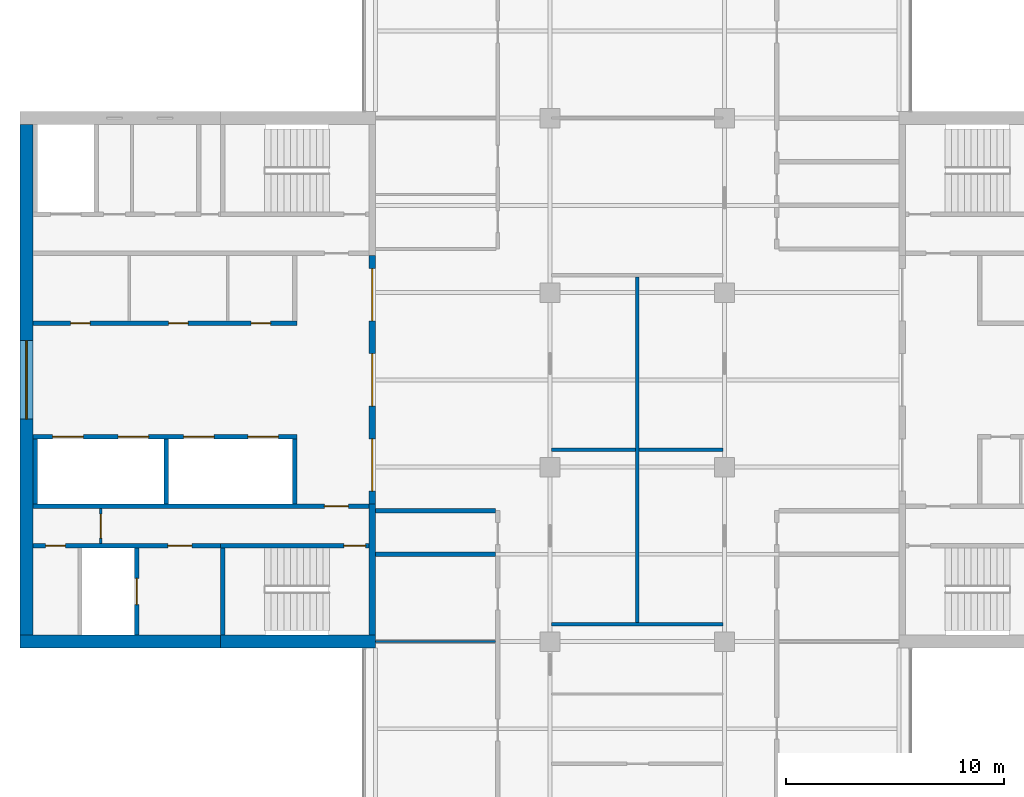
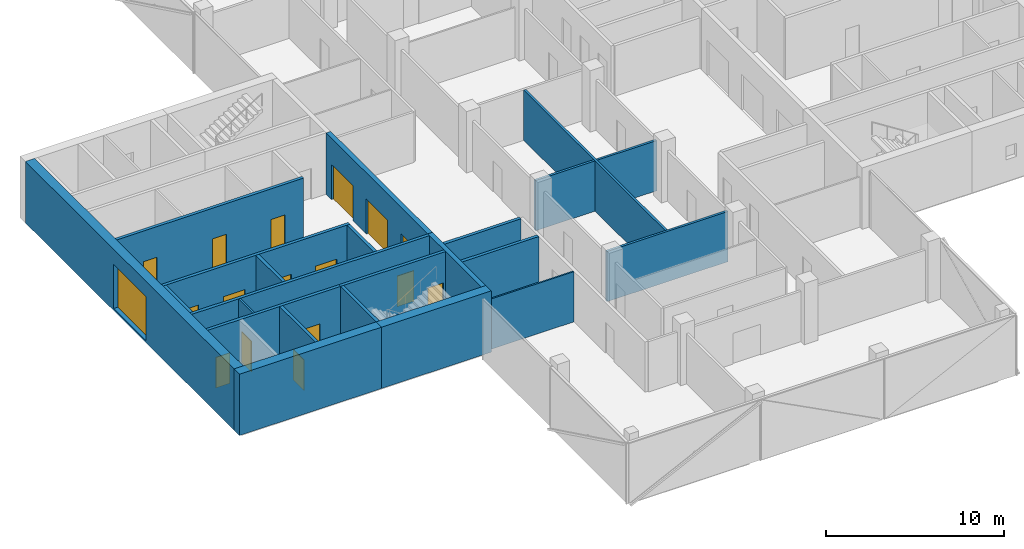
# One storey, part 9 of 16: 23 walls, 16 doors, 1 window, 17 openings.
"""IFC4 building model written with IfcOpenShell, lengths in metres."""

from ifc_helpers import new_model, si_unit, direction, frame, frame_2d, origin, place, context, subcontext, project, spatial, rectangle, extrude, material, layer, layer_set, constituent, constituent_set, type_object, element, fill, save


model = new_model("IFC4")

# Units and contexts
model_context = context("Model", 3, precision=1e-05, world=origin(), true_north=direction((0.0, 1.0)))
body_context = subcontext(model_context, "Body", "Model", "MODEL_VIEW")
ifc_project = project(units=[si_unit("LENGTHUNIT", "METRE"), si_unit("AREAUNIT", "SQUARE_METRE"), si_unit("VOLUMEUNIT", "CUBIC_METRE"), si_unit("PLANEANGLEUNIT", "RADIAN"), si_unit("MASSUNIT", "GRAM", prefix="KILO")], contexts=[model_context])

# Site, building, storey
site_placement = place(None, origin())
site = spatial("IfcSite", under=ifc_project, at=site_placement, CompositionType="ELEMENT")
building_placement = place(site_placement, origin())
building = spatial("IfcBuilding", under=site, at=building_placement, Name="Crosswind Convention Tower", CompositionType="ELEMENT")
storey_placement = place(building_placement, frame((0.0, 0.0, 208.300048828125)))
storey = spatial("IfcBuildingStorey", under=building, at=storey_placement, Name="L44", CompositionType="ELEMENT", Elevation=208.300048828125)

# Walls
ifc_material_1 = material(Name="Concrete blockwork", Category="masonry")
ifc_layer_1 = layer(ifc_material_1, 0.199951171875)
ifc_layer_set_1 = layer_set([ifc_layer_1], Name="COMPARTMENT WALL 200 BLOCKWORK")
wall_type_1 = type_object("IfcWallType", Name="COMPARTMENT WALL 200 BLOCKWORK", PredefinedType="SOLIDWALL", material=ifc_layer_set_1)
for number, where, z_axis, x_axis, name in (
    (1, (113.0, 92.0, 0.0), (0.0, 0.0, 1.0), (1.0, 0.0, 0.0), "Compartment wall WT42"),
    (2, (113.0, 94.0, 0.0), (0.0, 0.0, 1.0), (1.0, 0.0, 0.0), "Compartment wall WT42"),
):
    element("IfcWall", number, at=place(storey_placement, frame(where, z_axis=z_axis, x_axis=x_axis)), inside=storey, type_object=wall_type_1, Name=name, PredefinedType="SOLIDWALL", context=body_context, shape_type="SweptSolid", body=[
        extrude(rectangle(XDim=5.5, YDim=0.199951171875, at=frame_2d((2.75, 0.0))), origin(), (0.0, 0.0, 1.0), 3.439697265625),
    ])

# Wall, openings, doors
ifc_material_2 = material(Name="Concrete C50/60", Category="concrete")
ifc_layer_2 = layer(ifc_material_2, 0.300048828125)
ifc_layer_set_2 = layer_set([ifc_layer_2], Name="Concrete C50/60")
wall_type_2 = type_object("IfcWallType", Name="Concrete inner core wall 300", PredefinedType="SHEAR", material=ifc_layer_set_2)
wall_1_placement = place(storey_placement, frame((112.85009765625, 105.699951171875, 0.0), z_axis=(0.0, 0.0, 1.0), x_axis=(0.0, -1.0, 0.0)))
wall_1 = element("IfcWall", 3, at=wall_1_placement, inside=storey, type_object=wall_type_2, Name="Wall SCR W L44", PredefinedType="SHEAR", context=body_context, shape_type="SweptSolid", body=[
    extrude(rectangle(XDim=11.39990234375, YDim=0.300048828125, at=frame_2d((5.699951171875, 0.0))), origin(), (0.0, 0.0, 1.0), 4.199951171875),
])
opening_1_placement = place(wall_1_placement, frame((0.60009765625, 0.0, 0.0)))
opening_1 = element("IfcOpeningElement", 4, at=opening_1_placement, cuts=wall_1, Name="Opening D100", PredefinedType="OPENING", context=body_context, shape_type="SweptSolid", body=[
    extrude(rectangle(XDim=2.39990234375, YDim=2.39990234375, at=frame_2d((1.199951171875, 1.199951171875))), frame((0.0, 0.159912109375, 0.0), z_axis=(0.0, -1.0, 0.0), x_axis=(1.0, 0.0, 0.0)), (0.0, 0.0, 1.0), 0.320068359375),
])
opening_2_placement = place(wall_1_placement, frame((4.5, 0.0, 0.0)))
opening_2 = element("IfcOpeningElement", 5, at=opening_2_placement, cuts=wall_1, Name="Opening D100", PredefinedType="OPENING", context=body_context, shape_type="SweptSolid", body=[
    extrude(rectangle(XDim=2.39990234375, YDim=2.39990234375, at=frame_2d((1.199951171875, 1.199951171875))), frame((0.0, 0.159912109375, 0.0), z_axis=(0.0, -1.0, 0.0), x_axis=(1.0, 0.0, 0.0)), (0.0, 0.0, 1.0), 0.320068359375),
])
opening_3_placement = place(wall_1_placement, frame((8.39990234375, 0.0, 0.0)))
opening_3 = element("IfcOpeningElement", 6, at=opening_3_placement, cuts=wall_1, Name="Opening D100", PredefinedType="OPENING", context=body_context, shape_type="SweptSolid", body=[
    extrude(rectangle(XDim=2.39990234375, YDim=2.39990234375, at=frame_2d((1.199951171875, 1.199951171875))), frame((0.0, 0.159912109375, 0.0), z_axis=(0.0, -1.0, 0.0), x_axis=(1.0, 0.0, 0.0)), (0.0, 0.0, 1.0), 0.320068359375),
])
ifc_material_3 = material(Name="Steel fire door with glazed vision panels", Category="steel")
door_type_1 = type_object("IfcDoorType", Name="Fire-rated double door 2400x2400", OperationType="DOUBLE_DOOR_SINGLE_SWING", PredefinedType="DOOR", material=ifc_material_3)
door_1_placement = place(opening_1_placement, origin())
door_1 = element("IfcDoor", 7, at=door_1_placement, inside=storey, type_object=door_type_1, Name="Lobby door 1 L44", ObjectType="D100", OperationType="DOUBLE_DOOR_SINGLE_SWING", OverallHeight=2.39990234375, OverallWidth=2.39990234375, PredefinedType="DOOR", context=body_context, shape_type="SweptSolid", body=[
    extrude(rectangle(XDim=2.39990234375, YDim=2.39990234375, at=frame_2d((1.199951171875, 1.199951171875))), frame((0.0, 0.02490234375, 0.0), z_axis=(0.0, -1.0, 0.0), x_axis=(1.0, 0.0, 0.0)), (0.0, 0.0, 1.0), 0.050048828125),
])
fill(opening_1, door_1)
door_2_placement = place(opening_2_placement, origin())
door_2 = element("IfcDoor", 8, at=door_2_placement, inside=storey, type_object=door_type_1, Name="Lobby door 2 L44", ObjectType="D100", OperationType="DOUBLE_DOOR_SINGLE_SWING", OverallHeight=2.39990234375, OverallWidth=2.39990234375, PredefinedType="DOOR", context=body_context, shape_type="SweptSolid", body=[
    extrude(rectangle(XDim=2.39990234375, YDim=2.39990234375, at=frame_2d((1.199951171875, 1.199951171875))), frame((0.0, 0.02490234375, 0.0), z_axis=(0.0, -1.0, 0.0), x_axis=(1.0, 0.0, 0.0)), (0.0, 0.0, 1.0), 0.050048828125),
])
fill(opening_2, door_2)
door_3_placement = place(opening_3_placement, origin())
door_3 = element("IfcDoor", 9, at=door_3_placement, inside=storey, type_object=door_type_1, Name="Lobby door 3 L44", ObjectType="D100", OperationType="DOUBLE_DOOR_SINGLE_SWING", OverallHeight=2.39990234375, OverallWidth=2.39990234375, PredefinedType="DOOR", context=body_context, shape_type="SweptSolid", body=[
    extrude(rectangle(XDim=2.39990234375, YDim=2.39990234375, at=frame_2d((1.199951171875, 1.199951171875))), frame((0.0, 0.02490234375, 0.0), z_axis=(0.0, -1.0, 0.0), x_axis=(1.0, 0.0, 0.0)), (0.0, 0.0, 1.0), 0.050048828125),
])
fill(opening_3, door_3)

# Walls
wall_2_placement = place(storey_placement, frame((112.85009765625, 94.300048828125, 0.0), z_axis=(0.0, 0.0, 1.0), x_axis=(0.0, -1.0, 0.0)))
element("IfcWall", 10, at=wall_2_placement, inside=storey, type_object=wall_type_2, Name="Wall EP W L44", PredefinedType="SHEAR", context=body_context, shape_type="SweptSolid", body=[
    extrude(rectangle(XDim=6.0, YDim=0.300048828125, at=frame_2d((3.0, 0.0))), origin(), (0.0, 0.0, 1.0), 4.199951171875),
])
ifc_layer_3 = layer(ifc_material_2, 0.199951171875)
ifc_layer_set_3 = layer_set([ifc_layer_3], Name="Concrete C50/60")
wall_type_3 = type_object("IfcWallType", Name="Concrete shaft and stair wall 200", PredefinedType="SHEAR", material=ifc_layer_set_3)
for number, where, z_axis, x_axis, name in (
    (11, (109.300048828125, 97.300048828125, 0.0), (0.0, 0.0, 1.0), (0.0, -1.0, 0.0), "Wall RPEND W L44"),
    (12, (103.39990234375, 97.300048828125, 0.0), (0.0, 0.0, 1.0), (0.0, -1.0, 0.0), "Wall RPSEP W L44"),
    (13, (97.39990234375, 97.300048828125, 0.0), (0.0, 0.0, 1.0), (0.0, -1.0, 0.0), "Wall RPEAST W L44"),
):
    element("IfcWall", number, at=place(storey_placement, frame(where, z_axis=z_axis, x_axis=x_axis)), inside=storey, type_object=wall_type_3, Name=name, PredefinedType="SHEAR", context=body_context, shape_type="SweptSolid", body=[
        extrude(rectangle(XDim=3.0, YDim=0.199951171875, at=frame_2d((1.5, 0.0))), origin(), (0.0, 0.0, 1.0), 4.199951171875),
    ])

# Wall, openings, doors
wall_3_placement = place(storey_placement, frame((109.39990234375, 97.39990234375, 0.0), z_axis=(0.0, 0.0, 1.0), x_axis=(-1.0, 0.0, 0.0)))
wall_3 = element("IfcWall", 14, at=wall_3_placement, inside=storey, type_object=wall_type_3, Name="Wall RPFRONT W L44", PredefinedType="SHEAR", context=body_context, shape_type="SweptSolid", body=[
    extrude(rectangle(XDim=12.099853515625, YDim=0.199951171875, at=frame_2d((6.0498046875, 0.0))), origin(), (0.0, 0.0, 1.0), 4.199951171875),
])
opening_4_placement = place(wall_3_placement, frame((0.85009765625, 0.0, 0.0)))
opening_4 = element("IfcOpeningElement", 15, at=opening_4_placement, cuts=wall_3, Name="Opening LD2", PredefinedType="OPENING", context=body_context, shape_type="SweptSolid", body=[
    extrude(rectangle(XDim=1.39990234375, YDim=2.10009765625, at=frame_2d((0.699951171875, 1.050048828125))), frame((0.0, 0.10986328125, 0.0), z_axis=(0.0, -1.0, 0.0), x_axis=(1.0, 0.0, 0.0)), (0.0, 0.0, 1.0), 0.219970703125),
])
opening_5_placement = place(wall_3_placement, frame((3.800048828125, 0.0, 0.0)))
opening_5 = element("IfcOpeningElement", 16, at=opening_5_placement, cuts=wall_3, Name="Opening LD2", PredefinedType="OPENING", context=body_context, shape_type="SweptSolid", body=[
    extrude(rectangle(XDim=1.39990234375, YDim=2.10009765625, at=frame_2d((0.699951171875, 1.050048828125))), frame((0.0, 0.10986328125, 0.0), z_axis=(0.0, -1.0, 0.0), x_axis=(1.0, 0.0, 0.0)), (0.0, 0.0, 1.0), 0.219970703125),
])
opening_6_placement = place(wall_3_placement, frame((6.800048828125, 0.0, 0.0)))
opening_6 = element("IfcOpeningElement", 17, at=opening_6_placement, cuts=wall_3, Name="Opening LD2", PredefinedType="OPENING", context=body_context, shape_type="SweptSolid", body=[
    extrude(rectangle(XDim=1.39990234375, YDim=2.10009765625, at=frame_2d((0.699951171875, 1.050048828125))), frame((0.0, 0.10986328125, 0.0), z_axis=(0.0, -1.0, 0.0), x_axis=(1.0, 0.0, 0.0)), (0.0, 0.0, 1.0), 0.219970703125),
])
opening_7_placement = place(wall_3_placement, frame((9.800048828125, 0.0, 0.0)))
opening_7 = element("IfcOpeningElement", 18, at=opening_7_placement, cuts=wall_3, Name="Opening LD2", PredefinedType="OPENING", context=body_context, shape_type="SweptSolid", body=[
    extrude(rectangle(XDim=1.39990234375, YDim=2.10009765625, at=frame_2d((0.699951171875, 1.050048828125))), frame((0.0, 0.10986328125, 0.0), z_axis=(0.0, -1.0, 0.0), x_axis=(1.0, 0.0, 0.0)), (0.0, 0.0, 1.0), 0.219970703125),
])
ifc_material_4 = material(Name="Stainless steel", Category="steel")
door_type_2 = type_object("IfcDoorType", Name="Lift landing door 1400x2100", OperationType="DOUBLE_DOOR_SLIDING", PredefinedType="DOOR", material=ifc_material_4)
door_4_placement = place(opening_4_placement, origin())
door_4 = element("IfcDoor", 19, at=door_4_placement, inside=storey, type_object=door_type_2, Name="Landing door HR1 L44", ObjectType="LD2", OperationType="DOUBLE_DOOR_SLIDING", OverallHeight=2.10009765625, OverallWidth=1.39990234375, PredefinedType="DOOR", context=body_context, shape_type="SweptSolid", body=[
    extrude(rectangle(XDim=1.39990234375, YDim=2.10009765625, at=frame_2d((0.699951171875, 1.050048828125))), frame((0.0, 0.02490234375, 0.0), z_axis=(0.0, -1.0, 0.0), x_axis=(1.0, 0.0, 0.0)), (0.0, 0.0, 1.0), 0.050048828125),
])
fill(opening_4, door_4)
door_5_placement = place(opening_5_placement, origin())
door_5 = element("IfcDoor", 20, at=door_5_placement, inside=storey, type_object=door_type_2, Name="Landing door HR2 L44", ObjectType="LD2", OperationType="DOUBLE_DOOR_SLIDING", OverallHeight=2.10009765625, OverallWidth=1.39990234375, PredefinedType="DOOR", context=body_context, shape_type="SweptSolid", body=[
    extrude(rectangle(XDim=1.39990234375, YDim=2.10009765625, at=frame_2d((0.699951171875, 1.050048828125))), frame((0.0, 0.02490234375, 0.0), z_axis=(0.0, -1.0, 0.0), x_axis=(1.0, 0.0, 0.0)), (0.0, 0.0, 1.0), 0.050048828125),
])
fill(opening_5, door_5)
door_6_placement = place(opening_6_placement, origin())
door_6 = element("IfcDoor", 21, at=door_6_placement, inside=storey, type_object=door_type_2, Name="Landing door HR3 L44", ObjectType="LD2", OperationType="DOUBLE_DOOR_SLIDING", OverallHeight=2.10009765625, OverallWidth=1.39990234375, PredefinedType="DOOR", context=body_context, shape_type="SweptSolid", body=[
    extrude(rectangle(XDim=1.39990234375, YDim=2.10009765625, at=frame_2d((0.699951171875, 1.050048828125))), frame((0.0, 0.02490234375, 0.0), z_axis=(0.0, -1.0, 0.0), x_axis=(1.0, 0.0, 0.0)), (0.0, 0.0, 1.0), 0.050048828125),
])
fill(opening_6, door_6)
door_7_placement = place(opening_7_placement, origin())
door_7 = element("IfcDoor", 22, at=door_7_placement, inside=storey, type_object=door_type_2, Name="Landing door HR4 L44", ObjectType="LD2", OperationType="DOUBLE_DOOR_SLIDING", OverallHeight=2.10009765625, OverallWidth=1.39990234375, PredefinedType="DOOR", context=body_context, shape_type="SweptSolid", body=[
    extrude(rectangle(XDim=1.39990234375, YDim=2.10009765625, at=frame_2d((0.699951171875, 1.050048828125))), frame((0.0, 0.02490234375, 0.0), z_axis=(0.0, -1.0, 0.0), x_axis=(1.0, 0.0, 0.0)), (0.0, 0.0, 1.0), 0.050048828125),
])
fill(opening_7, door_7)

wall_4_placement = place(storey_placement, frame((109.39990234375, 102.60009765625, 0.0), z_axis=(0.0, 0.0, 1.0), x_axis=(-1.0, 0.0, 0.0)))
wall_4 = element("IfcWall", 23, at=wall_4_placement, inside=storey, type_object=wall_type_3, Name="Wall RMFRONT W L44", PredefinedType="SHEAR", context=body_context, shape_type="SweptSolid", body=[
    extrude(rectangle(XDim=12.099853515625, YDim=0.199951171875, at=frame_2d((6.0498046875, 0.0))), origin(), (0.0, 0.0, 1.0), 4.199951171875),
])
opening_8_placement = place(wall_4_placement, frame((1.206298828125, 0.0, 0.0)))
opening_8 = element("IfcOpeningElement", 24, at=opening_8_placement, cuts=wall_4, Name="Opening D106", PredefinedType="OPENING", context=body_context, shape_type="SweptSolid", body=[
    extrude(rectangle(XDim=0.89990234375, YDim=2.10009765625, at=frame_2d((0.449951171875, 1.050048828125))), frame((0.0, 0.10986328125, 0.0), z_axis=(0.0, -1.0, 0.0), x_axis=(1.0, 0.0, 0.0)), (0.0, 0.0, 1.0), 0.219970703125),
])
opening_9_placement = place(wall_4_placement, frame((4.986083984375, 0.0, 0.0)))
opening_9 = element("IfcOpeningElement", 25, at=opening_9_placement, cuts=wall_4, Name="Opening D106", PredefinedType="OPENING", context=body_context, shape_type="SweptSolid", body=[
    extrude(rectangle(XDim=0.89990234375, YDim=2.10009765625, at=frame_2d((0.449951171875, 1.050048828125))), frame((0.0, 0.10986328125, 0.0), z_axis=(0.0, -1.0, 0.0), x_axis=(1.0, 0.0, 0.0)), (0.0, 0.0, 1.0), 0.219970703125),
])
opening_10_placement = place(wall_4_placement, frame((9.479736328125, 0.0, 0.0)))
opening_10 = element("IfcOpeningElement", 26, at=opening_10_placement, cuts=wall_4, Name="Opening D106", PredefinedType="OPENING", context=body_context, shape_type="SweptSolid", body=[
    extrude(rectangle(XDim=0.89990234375, YDim=2.10009765625, at=frame_2d((0.449951171875, 1.050048828125))), frame((0.0, 0.10986328125, 0.0), z_axis=(0.0, -1.0, 0.0), x_axis=(1.0, 0.0, 0.0)), (0.0, 0.0, 1.0), 0.219970703125),
])
ifc_material_5 = material(Name="Timber door", Category="wood")
door_type_3 = type_object("IfcDoorType", Name="Single leaf door 900x2100", OperationType="NOTDEFINED", PredefinedType="DOOR", material=ifc_material_5)
door_8_placement = place(opening_8_placement, frame((0.89990234375, 0.0, 0.0), z_axis=(0.0, 0.0, 1.0), x_axis=(-1.0, 0.0, 0.0)))
door_8 = element("IfcDoor", 27, at=door_8_placement, inside=storey, type_object=door_type_3, Name="Door to copy and print room L44", ObjectType="D106", OperationType="SINGLE_SWING_LEFT", OverallHeight=2.10009765625, OverallWidth=0.89990234375, PredefinedType="DOOR", context=body_context, shape_type="SweptSolid", body=[
    extrude(rectangle(XDim=0.89990234375, YDim=2.10009765625, at=frame_2d((0.449951171875, 1.050048828125))), frame((0.0, 0.02490234375, 0.0), z_axis=(0.0, -1.0, 0.0), x_axis=(1.0, 0.0, 0.0)), (0.0, 0.0, 1.0), 0.050048828125),
])
fill(opening_8, door_8)
door_9_placement = place(opening_9_placement, frame((0.89990234375, 0.0, 0.0), z_axis=(0.0, 0.0, 1.0), x_axis=(-1.0, 0.0, 0.0)))
door_9 = element("IfcDoor", 28, at=door_9_placement, inside=storey, type_object=door_type_3, Name="Door to meeting room L44", ObjectType="D106", OperationType="SINGLE_SWING_LEFT", OverallHeight=2.10009765625, OverallWidth=0.89990234375, PredefinedType="DOOR", context=body_context, shape_type="SweptSolid", body=[
    extrude(rectangle(XDim=0.89990234375, YDim=2.10009765625, at=frame_2d((0.449951171875, 1.050048828125))), frame((0.0, 0.02490234375, 0.0), z_axis=(0.0, -1.0, 0.0), x_axis=(1.0, 0.0, 0.0)), (0.0, 0.0, 1.0), 0.050048828125),
])
fill(opening_9, door_9)
door_10_placement = place(opening_10_placement, frame((0.89990234375, 0.0, 0.0), z_axis=(0.0, 0.0, 1.0), x_axis=(-1.0, 0.0, 0.0)))
door_10 = element("IfcDoor", 29, at=door_10_placement, inside=storey, type_object=door_type_3, Name="Door to pantry L44", ObjectType="D106", OperationType="SINGLE_SWING_LEFT", OverallHeight=2.10009765625, OverallWidth=0.89990234375, PredefinedType="DOOR", context=body_context, shape_type="SweptSolid", body=[
    extrude(rectangle(XDim=0.89990234375, YDim=2.10009765625, at=frame_2d((0.449951171875, 1.050048828125))), frame((0.0, 0.02490234375, 0.0), z_axis=(0.0, -1.0, 0.0), x_axis=(1.0, 0.0, 0.0)), (0.0, 0.0, 1.0), 0.050048828125),
])
fill(opening_10, door_10)

# Wall, opening, door
wall_5_placement = place(storey_placement, frame((112.699951171875, 94.199951171875, 0.0), z_axis=(0.0, 0.0, 1.0), x_axis=(-1.0, 0.0, 0.0)))
wall_5 = element("IfcWall", 30, at=wall_5_placement, inside=storey, type_object=wall_type_3, Name="Wall HP W L44", PredefinedType="SHEAR", context=body_context, shape_type="SweptSolid", body=[
    extrude(rectangle(XDim=15.39990234375, YDim=0.199951171875, at=frame_2d((7.699951171875, 0.0))), origin(), (0.0, 0.0, 1.0), 4.199951171875),
])
opening_11_placement = place(wall_5_placement, frame((0.949951171875, 0.0, 0.0)))
opening_11 = element("IfcOpeningElement", 31, at=opening_11_placement, cuts=wall_5, Name="Opening D104", PredefinedType="OPENING", context=body_context, shape_type="SweptSolid", body=[
    extrude(rectangle(XDim=1.10009765625, YDim=2.10009765625, at=frame_2d((0.550048828125, 1.050048828125))), frame((0.0, 0.10986328125, 0.0), z_axis=(0.0, -1.0, 0.0), x_axis=(1.0, 0.0, 0.0)), (0.0, 0.0, 1.0), 0.219970703125),
])
ifc_material_6 = material(Name="Steel fire door", Category="steel")
door_type_4 = type_object("IfcDoorType", Name="Fire-rated single door 1100x2100", OperationType="NOTDEFINED", PredefinedType="DOOR", material=ifc_material_6)
door_11_placement = place(opening_11_placement, origin())
door_11 = element("IfcDoor", 32, at=door_11_placement, inside=storey, type_object=door_type_4, Name="Corridor door L44", ObjectType="D104", OperationType="SINGLE_SWING_LEFT", OverallHeight=2.10009765625, OverallWidth=1.10009765625, PredefinedType="DOOR", context=body_context, shape_type="SweptSolid", body=[
    extrude(rectangle(XDim=1.10009765625, YDim=2.10009765625, at=frame_2d((0.550048828125, 1.050048828125))), frame((0.0, 0.02490234375, 0.0), z_axis=(0.0, -1.0, 0.0), x_axis=(1.0, 0.0, 0.0)), (0.0, 0.0, 1.0), 0.050048828125),
])
fill(opening_11, door_11)

# Wall
wall_6_placement = place(storey_placement, frame((106.0, 92.300048828125, 0.0), z_axis=(0.0, 0.0, 1.0), x_axis=(0.0, -1.0, 0.0)))
element("IfcWall", 33, at=wall_6_placement, inside=storey, type_object=wall_type_3, Name="Wall PSE W L44", PredefinedType="SHEAR", context=body_context, shape_type="SweptSolid", body=[
    extrude(rectangle(XDim=4.0, YDim=0.199951171875, at=frame_2d((2.0, 0.0))), origin(), (0.0, 0.0, 1.0), 4.199951171875),
])

# Wall, opening, door
wall_7_placement = place(storey_placement, frame((102.050048828125, 92.300048828125, 0.0), z_axis=(0.0, 0.0, 1.0), x_axis=(0.0, -1.0, 0.0)))
wall_7 = element("IfcWall", 34, at=wall_7_placement, inside=storey, type_object=wall_type_3, Name="Wall PFLW W L44", PredefinedType="SHEAR", context=body_context, shape_type="SweptSolid", body=[
    extrude(rectangle(XDim=4.0, YDim=0.199951171875, at=frame_2d((2.0, 0.0))), origin(), (0.0, 0.0, 1.0), 4.199951171875),
])
opening_12_placement = place(wall_7_placement, frame((1.39990234375, 0.0, 0.0)))
opening_12 = element("IfcOpeningElement", 35, at=opening_12_placement, cuts=wall_7, Name="Opening LD1", PredefinedType="OPENING", context=body_context, shape_type="SweptSolid", body=[
    extrude(rectangle(XDim=1.199951171875, YDim=2.10009765625, at=frame_2d((0.60009765625, 1.050048828125))), frame((0.0, 0.10986328125, 0.0), z_axis=(0.0, -1.0, 0.0), x_axis=(1.0, 0.0, 0.0)), (0.0, 0.0, 1.0), 0.219970703125),
])
door_type_5 = type_object("IfcDoorType", Name="Lift landing door 1200x2100", OperationType="DOUBLE_DOOR_SLIDING", PredefinedType="DOOR", material=ifc_material_4)
door_12_placement = place(opening_12_placement, origin())
door_12 = element("IfcDoor", 36, at=door_12_placement, inside=storey, type_object=door_type_5, Name="Landing door FF2 L44", ObjectType="LD1", OperationType="DOUBLE_DOOR_SLIDING", OverallHeight=2.10009765625, OverallWidth=1.199951171875, PredefinedType="DOOR", context=body_context, shape_type="SweptSolid", body=[
    extrude(rectangle(XDim=1.199951171875, YDim=2.10009765625, at=frame_2d((0.60009765625, 1.050048828125))), frame((0.0, 0.02490234375, 0.0), z_axis=(0.0, -1.0, 0.0), x_axis=(1.0, 0.0, 0.0)), (0.0, 0.0, 1.0), 0.050048828125),
])
fill(opening_12, door_12)

wall_8_placement = place(storey_placement, frame((112.699951171875, 92.39990234375, 0.0), z_axis=(0.0, 0.0, 1.0), x_axis=(-1.0, 0.0, 0.0)))
wall_8 = element("IfcWall", 37, at=wall_8_placement, inside=storey, type_object=wall_type_3, Name="Wall PCW W L44", PredefinedType="SHEAR", context=body_context, shape_type="SweptSolid", body=[
    extrude(rectangle(XDim=6.800048828125, YDim=0.199951171875, at=frame_2d((3.39990234375, 0.0))), origin(), (0.0, 0.0, 1.0), 4.199951171875),
])
opening_13_placement = place(wall_8_placement, frame((0.14990234375, 0.0, 0.0)))
opening_13 = element("IfcOpeningElement", 38, at=opening_13_placement, cuts=wall_8, Name="Opening D103", PredefinedType="OPENING", context=body_context, shape_type="SweptSolid", body=[
    extrude(rectangle(XDim=1.0, YDim=2.10009765625, at=frame_2d((0.5, 1.050048828125))), frame((0.0, 0.10986328125, 0.0), z_axis=(0.0, -1.0, 0.0), x_axis=(1.0, 0.0, 0.0)), (0.0, 0.0, 1.0), 0.219970703125),
])
door_type_6 = type_object("IfcDoorType", Name="Fire-rated single door 1000x2100", OperationType="NOTDEFINED", PredefinedType="DOOR", material=ifc_material_6)
door_13_placement = place(opening_13_placement, origin())
door_13 = element("IfcDoor", 39, at=door_13_placement, inside=storey, type_object=door_type_6, Name="Stair ST3 door L44", ObjectType="D103", OperationType="SINGLE_SWING_LEFT", OverallHeight=2.10009765625, OverallWidth=1.0, PredefinedType="DOOR", context=body_context, shape_type="SweptSolid", body=[
    extrude(rectangle(XDim=1.0, YDim=2.10009765625, at=frame_2d((0.5, 1.050048828125))), frame((0.0, 0.02490234375, 0.0), z_axis=(0.0, -1.0, 0.0), x_axis=(1.0, 0.0, 0.0)), (0.0, 0.0, 1.0), 0.050048828125),
])
fill(opening_13, door_13)

# Wall, openings, doors
wall_9_placement = place(storey_placement, frame((105.89990234375, 92.39990234375, 0.0), z_axis=(0.0, 0.0, 1.0), x_axis=(-1.0, 0.0, 0.0)))
wall_9 = element("IfcWall", 40, at=wall_9_placement, inside=storey, type_object=wall_type_3, Name="Wall PCX W L44", PredefinedType="SHEAR", context=body_context, shape_type="SweptSolid", body=[
    extrude(rectangle(XDim=8.599853515625, YDim=0.199951171875, at=frame_2d((4.2998046875, 0.0))), origin(), (0.0, 0.0, 1.0), 4.199951171875),
])
opening_14_placement = place(wall_9_placement, frame((1.324951171875, 0.0, 0.0)))
opening_14 = element("IfcOpeningElement", 41, at=opening_14_placement, cuts=wall_9, Name="Opening D104", PredefinedType="OPENING", context=body_context, shape_type="SweptSolid", body=[
    extrude(rectangle(XDim=1.10009765625, YDim=2.10009765625, at=frame_2d((0.550048828125, 1.050048828125))), frame((0.0, 0.10986328125, 0.0), z_axis=(0.0, -1.0, 0.0), x_axis=(1.0, 0.0, 0.0)), (0.0, 0.0, 1.0), 0.219970703125),
])
opening_15_placement = place(wall_9_placement, frame((7.125, 0.0, 0.0)))
opening_15 = element("IfcOpeningElement", 42, at=opening_15_placement, cuts=wall_9, Name="Opening D106", PredefinedType="OPENING", context=body_context, shape_type="SweptSolid", body=[
    extrude(rectangle(XDim=0.89990234375, YDim=2.10009765625, at=frame_2d((0.449951171875, 1.050048828125))), frame((0.0, 0.10986328125, 0.0), z_axis=(0.0, -1.0, 0.0), x_axis=(1.0, 0.0, 0.0)), (0.0, 0.0, 1.0), 0.219970703125),
])
door_14_placement = place(opening_14_placement, origin())
door_14 = element("IfcDoor", 43, at=door_14_placement, inside=storey, type_object=door_type_4, Name="Fire-fighting lobby FF2 door L44", ObjectType="D104", OperationType="SINGLE_SWING_RIGHT", OverallHeight=2.10009765625, OverallWidth=1.10009765625, PredefinedType="DOOR", context=body_context, shape_type="SweptSolid", body=[
    extrude(rectangle(XDim=1.10009765625, YDim=2.10009765625, at=frame_2d((0.550048828125, 1.050048828125))), frame((0.0, 0.02490234375, 0.0), z_axis=(0.0, -1.0, 0.0), x_axis=(1.0, 0.0, 0.0)), (0.0, 0.0, 1.0), 0.050048828125),
])
fill(opening_14, door_14)
door_15_placement = place(opening_15_placement, origin())
door_15 = element("IfcDoor", 44, at=door_15_placement, inside=storey, type_object=door_type_3, Name="Door to telecoms room L44", ObjectType="D106", OperationType="SINGLE_SWING_RIGHT", OverallHeight=2.10009765625, OverallWidth=0.89990234375, PredefinedType="DOOR", context=body_context, shape_type="SweptSolid", body=[
    extrude(rectangle(XDim=0.89990234375, YDim=2.10009765625, at=frame_2d((0.449951171875, 1.050048828125))), frame((0.0, 0.02490234375, 0.0), z_axis=(0.0, -1.0, 0.0), x_axis=(1.0, 0.0, 0.0)), (0.0, 0.0, 1.0), 0.050048828125),
])
fill(opening_15, door_15)

# Wall, opening, door
ifc_material_7 = material(Name="Gypsum plasterboard partition", Category="gypsum")
ifc_layer_4 = layer(ifc_material_7, 0.125)
ifc_layer_set_4 = layer_set([ifc_layer_4], Name="Drywall partition wall 125")
wall_type_4 = type_object("IfcWallType", Name="Drywall partition wall 125", PredefinedType="PARTITIONING", material=ifc_layer_set_4)
wall_10_placement = place(storey_placement, frame((100.39990234375, 94.10009765625, 0.0), z_axis=(0.0, 0.0, 1.0), x_axis=(0.0, -1.0, 0.0)))
wall_10 = element("IfcWall", 45, at=wall_10_placement, inside=storey, type_object=wall_type_4, Name="Wall PXC1 W L44", PredefinedType="PARTITIONING", context=body_context, shape_type="SweptSolid", body=[
    extrude(rectangle(XDim=1.60009765625, YDim=0.125, at=frame_2d((0.800048828125, 0.0))), origin(), (0.0, 0.0, 1.0), 4.199951171875),
])
opening_16_placement = place(wall_10_placement, frame((0.25, 0.0, 0.0)))
opening_16 = element("IfcOpeningElement", 46, at=opening_16_placement, cuts=wall_10, Name="Opening D104", PredefinedType="OPENING", context=body_context, shape_type="SweptSolid", body=[
    extrude(rectangle(XDim=1.10009765625, YDim=2.10009765625, at=frame_2d((0.550048828125, 1.050048828125))), frame((0.0, 0.072509765625, 0.0), z_axis=(0.0, -1.0, 0.0), x_axis=(1.0, 0.0, 0.0)), (0.0, 0.0, 1.0), 0.14501953125),
])
door_16_placement = place(opening_16_placement, origin())
door_16 = element("IfcDoor", 47, at=door_16_placement, inside=storey, type_object=door_type_4, Name="Corridor smoke door L44", ObjectType="D104", OperationType="SINGLE_SWING_RIGHT", OverallHeight=2.10009765625, OverallWidth=1.10009765625, PredefinedType="DOOR", context=body_context, shape_type="SweptSolid", body=[
    extrude(rectangle(XDim=1.10009765625, YDim=2.10009765625, at=frame_2d((0.550048828125, 1.050048828125))), frame((0.0, 0.02490234375, 0.0), z_axis=(0.0, -1.0, 0.0), x_axis=(1.0, 0.0, 0.0)), (0.0, 0.0, 1.0), 0.050048828125),
])
fill(opening_16, door_16)

# Walls
ifc_material_8 = material(Name="Plasterboard partition", Category="gypsum")
ifc_layer_5 = layer(ifc_material_8, 0.10009765625)
ifc_layer_set_5 = layer_set([ifc_layer_5], Name="PARTITION 100 METAL STUD")
wall_type_5 = type_object("IfcWallType", Name="PARTITION 100 METAL STUD", PredefinedType="PARTITIONING", material=ifc_layer_set_5)
wall_11_placement = place(storey_placement, frame((113.0, 88.0, 0.0), z_axis=(0.0, 0.0, 1.0), x_axis=(1.0, 0.0, 0.0)))
element("IfcWall", 48, at=wall_11_placement, inside=storey, type_object=wall_type_5, Name="Partition wall WT40", PredefinedType="PARTITIONING", context=body_context, shape_type="SweptSolid", body=[
    extrude(rectangle(XDim=5.5, YDim=0.10009765625, at=frame_2d((2.75, 0.0))), origin(), (0.0, 0.0, 1.0), 3.439697265625),
])
ifc_material_9 = material(Name="Fire-board partition with mineral wool", Category="gypsum")
ifc_layer_6 = layer(ifc_material_9, 0.14990234375)
ifc_layer_set_6 = layer_set([ifc_layer_6], Name="TENANCY WALL 150 TWO-HOUR BOARD")
wall_type_6 = type_object("IfcWallType", Name="TENANCY WALL 150 TWO-HOUR BOARD", PredefinedType="PARTITIONING", material=ifc_layer_set_6)
wall_12_placement = place(storey_placement, frame((125.0, 88.875, 0.0), z_axis=(0.0, 0.0, 1.0), x_axis=(0.0, 1.0, 0.0)))
element("IfcWall", 49, at=wall_12_placement, inside=storey, type_object=wall_type_6, Name="Tenancy wall WT41", PredefinedType="PARTITIONING", context=body_context, shape_type="SweptSolid", body=[
    extrude(rectangle(XDim=15.85009765625, YDim=0.14990234375, at=frame_2d((7.925048828125, 0.0))), origin(), (0.0, 0.0, 1.0), 3.439697265625),
])
wall_13_placement = place(storey_placement, frame((121.074951171875, 88.800048828125, 0.0), z_axis=(0.0, 0.0, 1.0), x_axis=(1.0, 0.0, 0.0)))
element("IfcWall", 50, at=wall_13_placement, inside=storey, type_object=wall_type_6, Name="Tenancy wall WT41", PredefinedType="PARTITIONING", context=body_context, shape_type="SweptSolid", body=[
    extrude(rectangle(XDim=7.85009765625, YDim=0.14990234375, at=frame_2d((3.925048828125, 0.0))), origin(), (0.0, 0.0, 1.0), 3.439697265625),
])
for number, where, z_axis, x_axis, name in (
    (51, (121.074951171875, 96.800048828125, 0.0), (0.0, 0.0, 1.0), (1.0, 0.0, 0.0), "Tenancy wall WT41"),
    (52, (125.074951171875, 96.800048828125, 0.0), (0.0, 0.0, 1.0), (1.0, 0.0, 0.0), "Tenancy wall WT41"),
):
    element("IfcWall", number, at=place(storey_placement, frame(where, z_axis=z_axis, x_axis=x_axis)), inside=storey, type_object=wall_type_6, Name=name, PredefinedType="PARTITIONING", context=body_context, shape_type="SweptSolid", body=[
        extrude(rectangle(XDim=3.85009765625, YDim=0.14990234375, at=frame_2d((1.925048828125, 0.0))), origin(), (0.0, 0.0, 1.0), 3.439697265625),
    ])
ifc_material_10 = material(Name="Concrete C60/75", Category="concrete")
ifc_constituent_1 = constituent(ifc_material_10, Name="Structure")
ifc_material_11 = material(Name="Terracotta rainscreen", Category="ceramic")
ifc_constituent_2 = constituent(ifc_material_11, Name="Facing")
ifc_constituent_set = constituent_set(constituents=[ifc_constituent_1, ifc_constituent_2], Name="Concrete C60/75, Terracotta rainscreen")
wall_type_7 = type_object("IfcWallType", Name="Terracotta rainscreen on concrete core wall 600", PredefinedType="SHEAR", material=ifc_constituent_set)
wall_14_placement = place(storey_placement, frame((113.0, 88.0, 0.0), z_axis=(0.0, 0.0, 1.0), x_axis=(-1.0, 0.0, 0.0)))
element("IfcWall", 53, at=wall_14_placement, inside=storey, type_object=wall_type_7, Name="Wall N1 W L44", PredefinedType="SHEAR", context=body_context, shape_type="SweptSolid", body=[
    extrude(rectangle(XDim=7.10009765625, YDim=0.60009765625, at=frame_2d((3.550048828125, 0.0))), origin(), (0.0, 0.0, 1.0), 4.199951171875),
])
wall_15_placement = place(storey_placement, frame((105.89990234375, 88.0, 0.0), z_axis=(0.0, 0.0, 1.0), x_axis=(-1.0, 0.0, 0.0)))
element("IfcWall", 54, at=wall_15_placement, inside=storey, type_object=wall_type_7, Name="Wall N2 W L44", PredefinedType="SHEAR", context=body_context, shape_type="SweptSolid", body=[
    extrude(rectangle(XDim=9.199951171875, YDim=0.60009765625, at=frame_2d((4.60009765625, 0.0))), origin(), (0.0, 0.0, 1.0), 4.199951171875),
])

# Wall, opening, window
wall_16_placement = place(storey_placement, frame((97.0, 111.699951171875, 0.0), z_axis=(0.0, 0.0, 1.0), x_axis=(0.0, -1.0, 0.0)))
wall_16 = element("IfcWall", 55, at=wall_16_placement, inside=storey, type_object=wall_type_7, Name="Wall O W L44", PredefinedType="SHEAR", context=body_context, shape_type="SweptSolid", body=[
    extrude(rectangle(XDim=23.39990234375, YDim=0.60009765625, at=frame_2d((11.699951171875, 0.0))), origin(), (0.0, 0.0, 1.0), 4.199951171875),
])
opening_17_placement = place(wall_16_placement, frame((9.89990234375, 0.0, 0.14990234375)))
opening_17 = element("IfcOpeningElement", 56, at=opening_17_placement, cuts=wall_16, Name="Opening W1", PredefinedType="OPENING", context=body_context, shape_type="SweptSolid", body=[
    extrude(rectangle(XDim=3.60009765625, YDim=3.0, at=frame_2d((1.800048828125, 1.5))), frame((0.0, 0.31005859375, 0.0), z_axis=(0.0, -1.0, 0.0), x_axis=(1.0, 0.0, 0.0)), (0.0, 0.0, 1.0), 0.6201171875),
])
ifc_material_12 = material(Name="Clear laminated glass in aluminium frame", Category="aluminium")
window_type = type_object("IfcWindowType", Name="Lobby end window 3600x3000", PartitioningType="SINGLE_PANEL", PredefinedType="WINDOW", material=ifc_material_12)
window_placement = place(opening_17_placement, origin())
window = element("IfcWindow", 57, at=window_placement, inside=storey, type_object=window_type, Name="Lobby end window L44", ObjectType="W1", OverallHeight=3.0, OverallWidth=3.60009765625, PartitioningType="SINGLE_PANEL", PredefinedType="WINDOW", context=body_context, shape_type="SweptSolid", body=[
    extrude(rectangle(XDim=3.60009765625, YDim=3.0, at=frame_2d((1.800048828125, 1.5))), frame((0.0, 0.030029296875, 0.0), z_axis=(0.0, -1.0, 0.0), x_axis=(1.0, 0.0, 0.0)), (0.0, 0.0, 1.0), 0.06005859375),
])
fill(opening_17, window)

save(model, "model.ifc")
